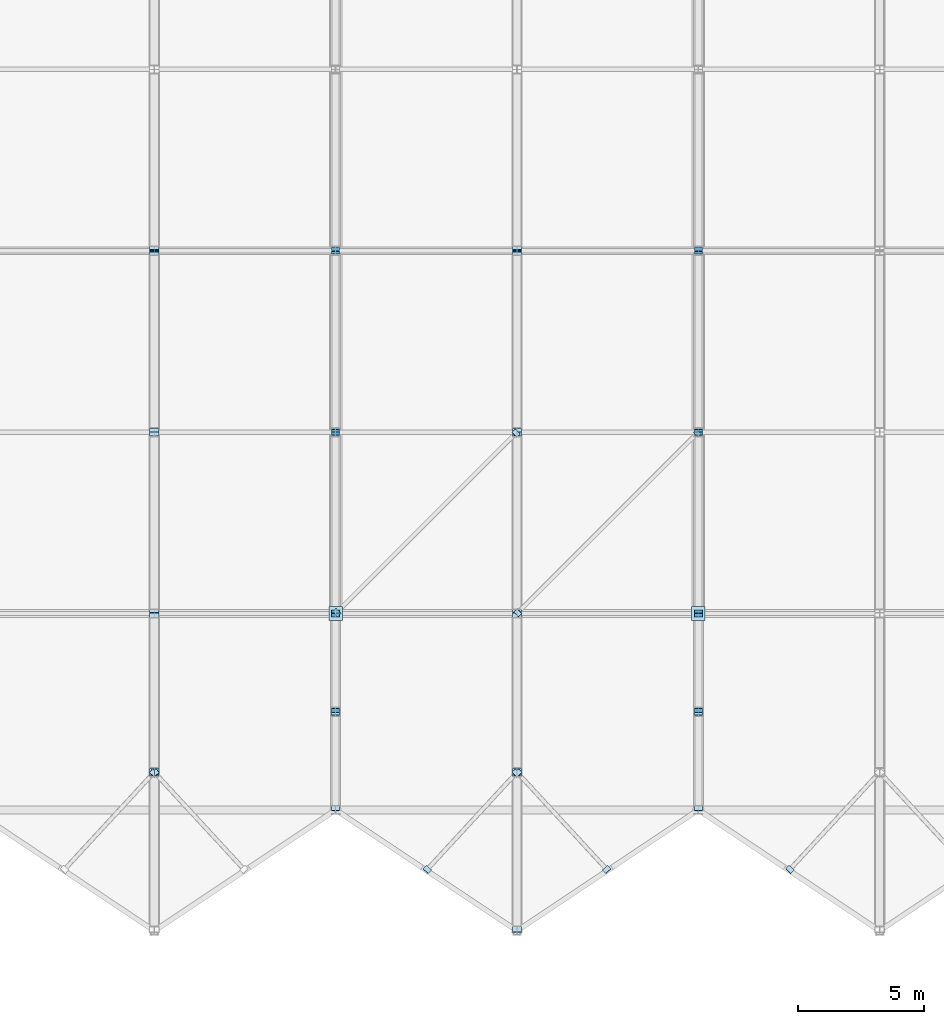
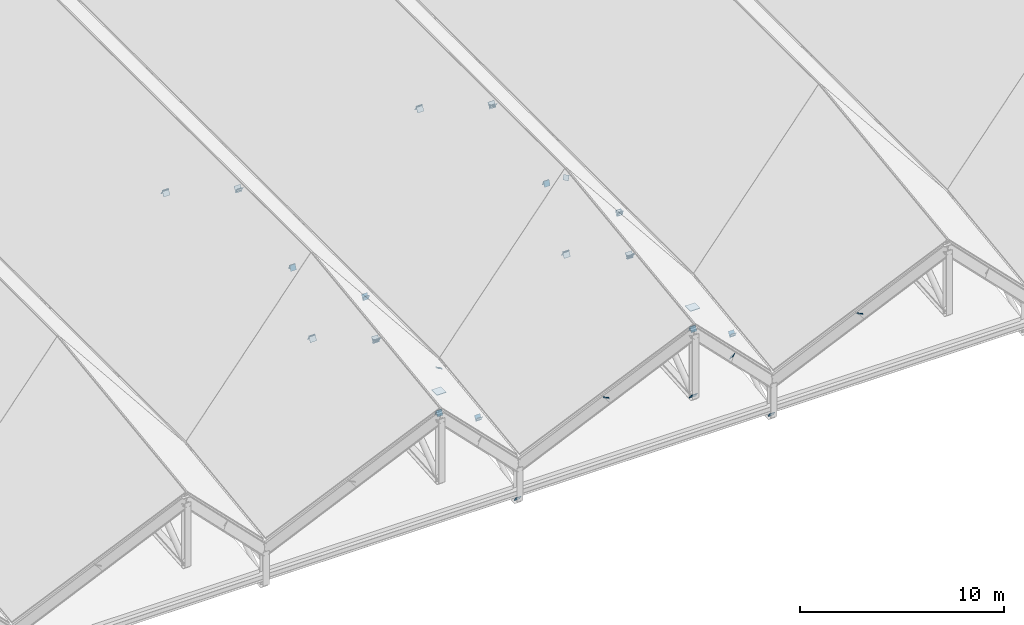
# One storey, part 45 of 60: 48 plates.
"""IFC4 building model written with IfcOpenShell, lengths in metres."""

from ifc_helpers import new_model, si_unit, direction, frame, origin, origin_2d, place, context, subcontext, project, spatial, rectangle, extrude, material, layer, layer_set, type_object, element, save


model = new_model("IFC4")

# Units and contexts
model_context = context("Model", 3, precision=1e-05, world=origin(), true_north=direction((0.0, 1.0)))
body_context = subcontext(model_context, "Body", "Model", "MODEL_VIEW")
ifc_project = project(units=[si_unit("LENGTHUNIT", "METRE"), si_unit("AREAUNIT", "SQUARE_METRE"), si_unit("VOLUMEUNIT", "CUBIC_METRE"), si_unit("PLANEANGLEUNIT", "RADIAN"), si_unit("MASSUNIT", "GRAM", prefix="KILO")], contexts=[model_context])

# Site, building, storey
site_placement = place(None, origin())
site = spatial("IfcSite", under=ifc_project, at=site_placement, CompositionType="ELEMENT")
building_placement = place(site_placement, origin())
building = spatial("IfcBuilding", under=site, at=building_placement, Name="Vesperath Aquatics Centre", CompositionType="ELEMENT")
storey_placement = place(building_placement, frame((0.0, 0.0, 27.60009765625)))
storey = spatial("IfcBuildingStorey", under=building, at=storey_placement, Name="RF", CompositionType="ELEMENT", Elevation=27.60009765625)

# Plates
ifc_material = material(Name="Steel Q355D", Category="steel")
ifc_layer_1 = layer(ifc_material, 0.02001953125)
ifc_layer_set_1 = layer_set([ifc_layer_1], Name="Steel Q355D")
plate_type_1 = type_object("IfcPlateType", Name="PT-TN01", PredefinedType="SHEET", material=ifc_layer_set_1)
for number, where, z_axis, x_axis, name in (
    (1, (36.0, 8.035888671875, -1.688232421875), (0.0, 0.802493774826, 0.59666049087), (-1.0, 0.0, 0.0), "Truss Node Cap Plate TN01"),
    (2, (36.0, 8.151611328125, -1.67138671875), (0.0, 0.858729222984, -0.512429625991), (-1.0, 0.0, 0.0), "Truss Node Cap Plate TN01"),
    (3, (36.0, 14.331298828125, -5.359130859375), (0.0, 0.858729222984, -0.512429625991), (-1.0, 0.0, 0.0), "Truss Node Cap Plate TN01"),
    (4, (36.0, 14.450439453125, -5.36767578125), (0.0, 0.842696259913, 0.538389276944), (-1.0, 0.0, 0.0), "Truss Node Cap Plate TN01"),
    (5, (36.0, 21.532470703125, -0.84326171875), (0.0, 0.842696259913, 0.538389276944), (-1.0, 0.0, 0.0), "Truss Node Cap Plate TN01"),
    (6, (36.0, 21.650390625, -0.83251953125), (0.0, 0.842696259913, -0.538389276944), (-1.0, 0.0, 0.0), "Truss Node Cap Plate TN01"),
    (7, (36.0, 28.732421875, -5.35693359375), (0.0, 0.842696259913, -0.538389276944), (-1.0, 0.0, 0.0), "Truss Node Cap Plate TN01"),
    (8, (36.0, 28.850341796875, -5.36767578125), (0.0, 0.842696259913, 0.538389276944), (-1.0, 0.0, 0.0), "Truss Node Cap Plate TN01"),
    (9, (50.39990234375, 1.84814453125, -6.288818359375), (0.0, 0.802493774826, 0.59666049087), (-1.0, 0.0, 0.0), "Truss Node Cap Plate TN01"),
    (10, (50.39990234375, 8.035888671875, -1.688232421875), (0.0, 0.802493774826, 0.59666049087), (-1.0, 0.0, 0.0), "Truss Node Cap Plate TN01"),
    (11, (50.39990234375, 8.151611328125, -1.67138671875), (0.0, 0.858729222984, -0.512429625991), (-1.0, 0.0, 0.0), "Truss Node Cap Plate TN01"),
    (12, (50.39990234375, 14.331298828125, -5.359130859375), (0.0, 0.858729222984, -0.512429625991), (-1.0, 0.0, 0.0), "Truss Node Cap Plate TN01"),
    (13, (50.39990234375, 14.450439453125, -5.36767578125), (0.0, 0.842696259913, 0.538389276944), (-1.0, 0.0, 0.0), "Truss Node Cap Plate TN01"),
    (14, (50.39990234375, 21.532470703125, -0.84326171875), (0.0, 0.842696259913, 0.538389276944), (-1.0, 0.0, 0.0), "Truss Node Cap Plate TN01"),
    (15, (50.39990234375, 21.650390625, -0.83251953125), (0.0, 0.842696259913, -0.538389276944), (-1.0, 0.0, 0.0), "Truss Node Cap Plate TN01"),
    (16, (50.39990234375, 28.732421875, -5.35693359375), (0.0, 0.842696259913, -0.538389276944), (-1.0, 0.0, 0.0), "Truss Node Cap Plate TN01"),
    (17, (50.39990234375, 28.850341796875, -5.36767578125), (0.0, 0.842696259913, 0.538389276944), (-1.0, 0.0, 0.0), "Truss Node Cap Plate TN01"),
):
    element("IfcPlate", number, at=place(storey_placement, frame(where, z_axis=z_axis, x_axis=x_axis)), inside=storey, type_object=plate_type_1, Name=name, PredefinedType="SHEET", context=body_context, shape_type="SweptSolid", body=[
        extrude(rectangle(XDim=0.360107421875, YDim=0.360107421875, at=origin_2d()), origin(), (0.0, 0.0, 1.0), 0.02001953125),
    ])
ifc_layer_2 = layer(ifc_material, 0.02001953125)
ifc_layer_set_2 = layer_set([ifc_layer_2], Name="Steel Q355D")
plate_type_2 = type_object("IfcPlateType", Name="PT-TN02", PredefinedType="SHEET", material=ifc_layer_set_2)
for number, where, z_axis, x_axis, name in (
    (18, (43.199951171875, 6.650390625, -12.83544921875), (0.0, 0.837176029161, 0.546933539105), (-1.0, 0.0, 0.0), "Truss Node Cap Plate TN02"),
    (19, (43.199951171875, 10.43310546875, -10.3642578125), (0.0, 0.837176029161, 0.546933539105), (-1.0, 0.0, 0.0), "Truss Node Cap Plate TN02"),
    (20, (43.199951171875, 10.552978515625, -10.348876953125), (0.0, 0.882390516938, -0.470517773967), (-1.0, 0.0, 0.0), "Truss Node Cap Plate TN02"),
    (21, (43.199951171875, 14.329345703125, -12.362548828125), (0.0, 0.882390516938, -0.470517773967), (-1.0, 0.0, 0.0), "Truss Node Cap Plate TN02"),
    (22, (43.199951171875, 14.456298828125, -12.379638671875), (0.0, 0.940553899656, 0.339644463876), (-1.0, 0.0, 0.0), "Truss Node Cap Plate TN02"),
    (23, (43.199951171875, 21.524658203125, -9.827392578125), (0.0, 0.940553899656, 0.339644463876), (-1.0, 0.0, 0.0), "Truss Node Cap Plate TN02"),
    (24, (43.199951171875, 21.65625, -9.820556640625), (0.0, 0.940553899656, -0.339644463876), (-1.0, 0.0, 0.0), "Truss Node Cap Plate TN02"),
    (25, (43.199951171875, 28.724609375, -12.372802734375), (0.0, 0.940553899656, -0.339644463876), (-1.0, 0.0, 0.0), "Truss Node Cap Plate TN02"),
    (26, (43.199951171875, 28.856201171875, -12.379638671875), (0.0, 0.940553899656, 0.339644463876), (-1.0, 0.0, 0.0), "Truss Node Cap Plate TN02"),
    (27, (57.60009765625, 6.650390625, -12.83544921875), (0.0, 0.837176029161, 0.546933539105), (-1.0, 0.0, 0.0), "Truss Node Cap Plate TN02"),
    (28, (57.60009765625, 10.43310546875, -10.3642578125), (0.0, 0.837176029161, 0.546933539105), (-1.0, 0.0, 0.0), "Truss Node Cap Plate TN02"),
    (29, (57.60009765625, 10.552978515625, -10.348876953125), (0.0, 0.882390516938, -0.470517773967), (-1.0, 0.0, 0.0), "Truss Node Cap Plate TN02"),
    (30, (57.60009765625, 14.329345703125, -12.362548828125), (0.0, 0.882390516938, -0.470517773967), (-1.0, 0.0, 0.0), "Truss Node Cap Plate TN02"),
    (31, (57.60009765625, 14.456298828125, -12.379638671875), (0.0, 0.940553899656, 0.339644463876), (-1.0, 0.0, 0.0), "Truss Node Cap Plate TN02"),
    (32, (57.60009765625, 21.524658203125, -9.827392578125), (0.0, 0.940553899656, 0.339644463876), (-1.0, 0.0, 0.0), "Truss Node Cap Plate TN02"),
    (33, (57.60009765625, 21.65625, -9.820556640625), (0.0, 0.940553899656, -0.339644463876), (-1.0, 0.0, 0.0), "Truss Node Cap Plate TN02"),
    (34, (57.60009765625, 28.724609375, -12.372802734375), (0.0, 0.940553899656, -0.339644463876), (-1.0, 0.0, 0.0), "Truss Node Cap Plate TN02"),
    (35, (57.60009765625, 28.856201171875, -12.379638671875), (0.0, 0.940553899656, 0.339644463876), (-1.0, 0.0, 0.0), "Truss Node Cap Plate TN02"),
):
    element("IfcPlate", number, at=place(storey_placement, frame(where, z_axis=z_axis, x_axis=x_axis)), inside=storey, type_object=plate_type_2, Name=name, PredefinedType="SHEET", context=body_context, shape_type="SweptSolid", body=[
        extrude(rectangle(XDim=0.320068359375, YDim=0.320068359375, at=origin_2d()), origin(), (0.0, 0.0, 1.0), 0.02001953125),
    ])
ifc_layer_3 = layer(ifc_material, 0.01806640625)
ifc_layer_set_3 = layer_set([ifc_layer_3], Name="Steel Q355D")
plate_type_3 = type_object("IfcPlateType", Name="PT-TN03", PredefinedType="SHEET", material=ifc_layer_set_3)
for number, where, z_axis, x_axis, name in (
    (36, (35.960693359375, 8.05712890625, -1.695556640625), (0.492765186153, 0.533828951166, 0.687174739213), (-0.734803444478, 0.678280102894, 2.61e-10), "Truss Node Cap Plate TN03"),
    (37, (36.039306640625, 8.05712890625, -1.695556640625), (-0.492765186153, 0.533828951166, 0.687174739213), (-0.734803444478, -0.678280102894, -2.61e-10), "Truss Node Cap Plate TN03"),
    (38, (46.83056640625, 4.23291015625, -6.618408203125), (0.492765186153, 0.533828951166, 0.687174739213), (-0.734803444478, 0.678280102894, 2.61e-10), "Truss Node Cap Plate TN03"),
    (39, (50.360595703125, 8.05712890625, -1.695556640625), (0.492765186153, 0.533828951166, 0.687174739213), (-0.734803444478, 0.678280102894, 2.61e-10), "Truss Node Cap Plate TN03"),
    (40, (43.232666015625, 14.4326171875, -9.75927734375), (0.529812942738, 0.529812942738, 0.662266178673), (-0.707106781187, 0.707106781187, 0.0), "Truss Node Cap Plate TN03"),
    (41, (50.357421875, 21.5576171875, -0.853271484375), (0.529812942738, 0.529812942738, 0.662266178673), (-0.707106781187, 0.707106781187, 0.0), "Truss Node Cap Plate TN03"),
    (42, (53.969482421875, 4.23291015625, -6.618408203125), (-0.492765186153, 0.533828951166, 0.687174739213), (-0.734803444478, -0.678280102894, -2.61e-10), "Truss Node Cap Plate TN03"),
    (43, (50.439453125, 8.05712890625, -1.695556640625), (-0.492765186153, 0.533828951166, 0.687174739213), (-0.734803444478, -0.678280102894, -2.61e-10), "Truss Node Cap Plate TN03"),
    (44, (50.4326171875, 14.4326171875, -0.841064453125), (0.529812942738, 0.529812942738, -0.662266178673), (-0.707106781187, 0.707106781187, 0.0), "Truss Node Cap Plate TN03"),
    (45, (57.5576171875, 21.5576171875, -9.7470703125), (0.529812942738, 0.529812942738, -0.662266178673), (-0.707106781187, 0.707106781187, 0.0), "Truss Node Cap Plate TN03"),
    (46, (61.230712890625, 4.23291015625, -6.618408203125), (0.492765186153, 0.533828951166, 0.687174739213), (-0.734803444478, 0.678280102894, 2.61e-10), "Truss Node Cap Plate TN03"),
):
    element("IfcPlate", number, at=place(storey_placement, frame(where, z_axis=z_axis, x_axis=x_axis)), inside=storey, type_object=plate_type_3, Name=name, PredefinedType="SHEET", context=body_context, shape_type="SweptSolid", body=[
        extrude(rectangle(XDim=0.280029296875, YDim=0.280029296875, at=origin_2d()), origin(), (0.0, 0.0, 1.0), 0.01806640625),
    ])
ifc_layer_4 = layer(ifc_material, 0.028076171875)
ifc_layer_set_4 = layer_set([ifc_layer_4], Name="Steel Q355D")
plate_type_4 = type_object("IfcPlateType", Name="PT-TN05", PredefinedType="SHEET", material=ifc_layer_set_4)
for number, where, z_axis, x_axis, name in (
    (47, (43.199951171875, 14.39990234375, -11.1142578125), (0.0, 0.0, 1.0), (0.0, 1.0, 0.0), "Truss Support Gusset Plate TN05 G7/C"),
    (48, (57.60009765625, 14.39990234375, -11.1142578125), (0.0, 0.0, 1.0), (0.0, 1.0, 0.0), "Truss Support Gusset Plate TN05 G9/C"),
):
    element("IfcPlate", number, at=place(storey_placement, frame(where, z_axis=z_axis, x_axis=x_axis)), inside=storey, type_object=plate_type_4, Name=name, PredefinedType="SHEET", context=body_context, shape_type="SweptSolid", body=[
        extrude(rectangle(XDim=0.5400390625, YDim=0.5400390625, at=origin_2d()), origin(), (0.0, 0.0, 1.0), 0.028076171875),
    ])

save(model, "model.ifc")
